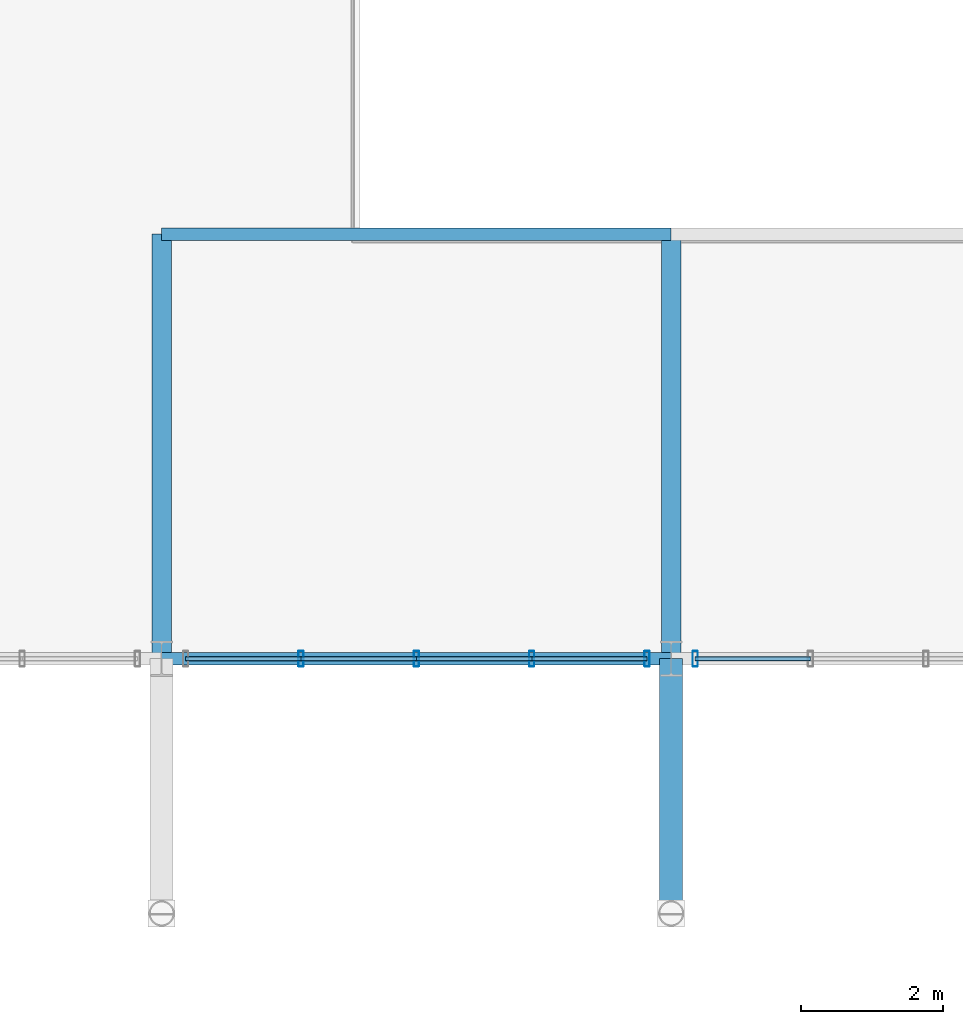
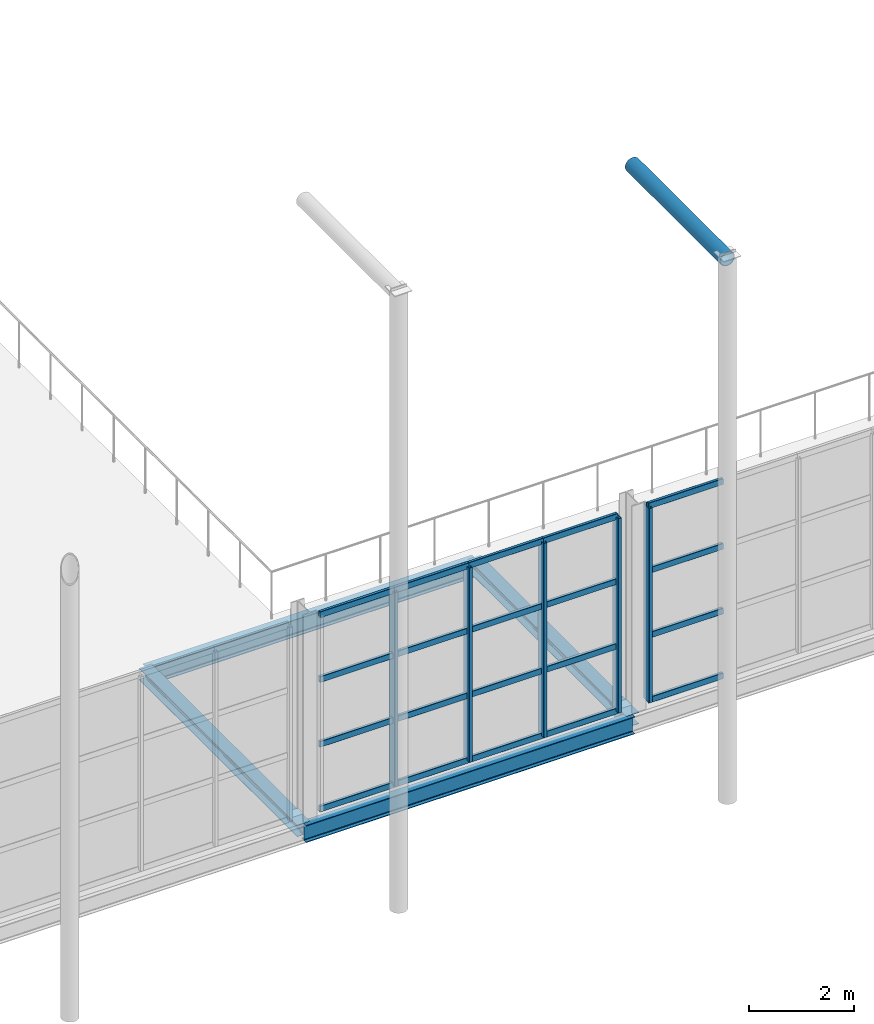
# One storey, part 19 of 143: 25 members, 5 beams, 2 elements without a shape of their own.
"""IFC4 building model written with IfcOpenShell, lengths in metres."""

from ifc_helpers import new_model, si_unit, derived_unit, direction, frame, origin, origin_2d, place, context, subcontext, project, spatial, hollow_rectangle, hollow_circle, i_section, extrude, material, material_profile, profile_set, type_object, element, aggregate, save


model = new_model("IFC4")

# Units and contexts
model_context = context("Model", 3, precision=1e-05, world=origin(), true_north=direction((0.0, 1.0)))
body_context = subcontext(model_context, "Body", "Model", "MODEL_VIEW")
ifc_project = project(units=[si_unit("LENGTHUNIT", "METRE"), si_unit("AREAUNIT", "SQUARE_METRE"), si_unit("VOLUMEUNIT", "CUBIC_METRE"), si_unit("PLANEANGLEUNIT", "RADIAN"), si_unit("MASSUNIT", "GRAM", prefix="KILO"), derived_unit("THERMALTRANSMITTANCEUNIT", [(si_unit("POWERUNIT", "WATT"), 1), (si_unit("LENGTHUNIT", "METRE"), -2), (si_unit("THERMODYNAMICTEMPERATUREUNIT", "KELVIN"), -1)])], contexts=[model_context])

# Site, building, storey
site_placement = place(None, origin())
site = spatial("IfcSite", under=ifc_project, at=site_placement, CompositionType="ELEMENT")
building_placement = place(site_placement, origin())
building = spatial("IfcBuilding", under=site, at=building_placement, Name="Keldorne Ridge Multi-Sports Centre", CompositionType="ELEMENT")
storey_placement = place(building_placement, frame((0.0, 0.0, 4.800048828125)))
storey = spatial("IfcBuildingStorey", under=building, at=storey_placement, Name="L01", CompositionType="ELEMENT", Elevation=4.800048828125)

# Beams
ifc_material_1 = material(Name="Steel S355", Category="steel")
ifc_material_profile_1 = material_profile(ifc_material_1, i_section(OverallWidth=0.179931640625, OverallDepth=0.39990234375, WebThickness=0.008544921875, FlangeThickness=0.013427734375, FilletRadius=0.02099609375, at=origin_2d()), Name="IPE 400")
ifc_profile_set_1 = profile_set([ifc_material_profile_1], Name="Steel S355")
beam_type_1 = type_object("IfcBeamType", Name="BM-B-04", PredefinedType="BEAM", material=ifc_profile_set_1)
for number, where, z_axis, x_axis, name in (
    (1, (13.199951171875, 9.60009765625, -0.420166015625), (1.0, 0.0, 0.0), (0.0, 1.0, 0.0), "L01 mezzanine south beam 2"),
    (2, (13.199951171875, 15.60009765625, -0.420166015625), (1.0, 0.0, 0.0), (0.0, 1.0, 0.0), "L01 mezzanine north beam 2"),
):
    element("IfcBeam", number, at=place(storey_placement, frame(where, z_axis=z_axis, x_axis=x_axis)), inside=storey, type_object=beam_type_1, Name=name, PredefinedType="BEAM", context=body_context, shape_type="SweptSolid", body=[
        extrude(i_section(OverallWidth=0.179931640625, OverallDepth=0.39990234375, WebThickness=0.008544921875, FlangeThickness=0.013427734375, FilletRadius=0.02099609375, at=origin_2d()), origin(), (0.0, 0.0, 1.0), 7.199951171875),
    ])
ifc_material_profile_2 = material_profile(ifc_material_1, hollow_circle(Radius=0.161865234375, WallThickness=0.01611328125, at=origin_2d()), Name="CHS 323.9x16")
ifc_profile_set_2 = profile_set([ifc_material_profile_2], Name="Steel S355")
beam_type_2 = type_object("IfcBeamType", Name="BM-B-19", PredefinedType="BEAM", material=ifc_profile_set_2)
beam_placement = place(storey_placement, frame((20.39990234375, 9.60009765625, 12.510009765625), z_axis=(0.0, -1.0, 0.0), x_axis=(1.0, 0.0, 0.0)))
element("IfcBeam", 3, at=beam_placement, inside=storey, type_object=beam_type_2, Name="Colonnade eave rafter 03", PredefinedType="BEAM", context=body_context, shape_type="SweptSolid", body=[
    extrude(hollow_circle(Radius=0.161865234375, WallThickness=0.01611328125, at=origin_2d()), origin(), (0.0, 0.0, 1.0), 3.60009765625),
])
ifc_material_profile_3 = material_profile(ifc_material_1, i_section(OverallWidth=0.280029296875, OverallDepth=0.27001953125, WebThickness=0.008056640625, FlangeThickness=0.012939453125, FilletRadius=0.02392578125, at=origin_2d()), Name="HEA 280")
ifc_profile_set_3 = profile_set([ifc_material_profile_3], Name="Steel S355")
beam_type_3 = type_object("IfcBeamType", Name="BM-J-05", PredefinedType="JOIST", material=ifc_profile_set_3)
for number, where, z_axis, x_axis, name in (
    (4, (13.199951171875, 9.60009765625, -0.35498046875), (0.0, 1.0, 0.0), (-1.0, 0.0, 0.0), "L01 mezzanine cross beam 2"),
    (5, (20.39990234375, 9.60009765625, -0.35498046875), (0.0, 1.0, 0.0), (-1.0, 0.0, 0.0), "L01 mezzanine cross beam 3"),
):
    element("IfcBeam", number, at=place(storey_placement, frame(where, z_axis=z_axis, x_axis=x_axis)), inside=storey, type_object=beam_type_3, Name=name, PredefinedType="JOIST", context=body_context, shape_type="SweptSolid", body=[
        extrude(i_section(OverallWidth=0.280029296875, OverallDepth=0.27001953125, WebThickness=0.008056640625, FlangeThickness=0.012939453125, FilletRadius=0.02392578125, at=origin_2d()), origin(), (0.0, 0.0, 1.0), 6.0),
    ])

# Curtain wall, members
ifc_material_2 = material(Name="Anodized aluminium", Category="aluminium")
curtain_wall_type_1 = type_object("IfcCurtainWallType", Name="CW-CW-04", PredefinedType="NOTDEFINED", material=ifc_material_2)
curtain_wall_1_placement = place(storey_placement, origin())
curtain_wall_1 = element("IfcCurtainWall", 6, at=curtain_wall_1_placement, inside=storey, type_object=curtain_wall_type_1, Name="Main Hall south mezzanine curtain wall 004", PredefinedType="NOTDEFINED")
ifc_material_profile_4 = material_profile(ifc_material_2, hollow_rectangle(XDim=0.074951171875, YDim=0.219970703125, WallThickness=0.0048828125, InnerFilletRadius=0.0048828125, OuterFilletRadius=0.010009765625, at=origin_2d()), Name="ALU MULLION 220x75x5")
ifc_profile_set_4 = profile_set([ifc_material_profile_4], Name="Anodized aluminium")
member_type_1 = type_object("IfcMemberType", Name="MEM-ML-02", PredefinedType="MULLION", material=ifc_profile_set_4)
member_1_placement = place(storey_placement, frame((15.169921875, 9.60009765625, 0.0), z_axis=(0.0, 0.0, 1.0), x_axis=(1.0, 0.0, 0.0)))
member_1 = element("IfcMember", 7, at=member_1_placement, type_object=member_type_1, Name="CW-004 vertical mullion 2", PredefinedType="MULLION", context=body_context, shape_type="SweptSolid", body=[
    extrude(hollow_rectangle(XDim=0.074951171875, YDim=0.219970703125, WallThickness=0.0048828125, InnerFilletRadius=0.0048828125, OuterFilletRadius=0.010009765625, at=origin_2d()), origin(), (0.0, 0.0, 1.0), 4.5),
])
member_2_placement = place(storey_placement, frame((16.800048828125, 9.60009765625, 0.0), z_axis=(0.0, 0.0, 1.0), x_axis=(1.0, 0.0, 0.0)))
member_2 = element("IfcMember", 8, at=member_2_placement, type_object=member_type_1, Name="CW-004 vertical mullion 3", PredefinedType="MULLION", context=body_context, shape_type="SweptSolid", body=[
    extrude(hollow_rectangle(XDim=0.074951171875, YDim=0.219970703125, WallThickness=0.0048828125, InnerFilletRadius=0.0048828125, OuterFilletRadius=0.010009765625, at=origin_2d()), origin(), (0.0, 0.0, 1.0), 4.5),
])
member_3_placement = place(storey_placement, frame((18.429931640625, 9.60009765625, 0.0), z_axis=(0.0, 0.0, 1.0), x_axis=(1.0, 0.0, 0.0)))
member_3 = element("IfcMember", 9, at=member_3_placement, type_object=member_type_1, Name="CW-004 vertical mullion 4", PredefinedType="MULLION", context=body_context, shape_type="SweptSolid", body=[
    extrude(hollow_rectangle(XDim=0.074951171875, YDim=0.219970703125, WallThickness=0.0048828125, InnerFilletRadius=0.0048828125, OuterFilletRadius=0.010009765625, at=origin_2d()), origin(), (0.0, 0.0, 1.0), 4.5),
])
member_4_placement = place(storey_placement, frame((20.06005859375, 9.60009765625, 0.0), z_axis=(0.0, 0.0, 1.0), x_axis=(1.0, 0.0, 0.0)))
member_4 = element("IfcMember", 10, at=member_4_placement, type_object=member_type_1, Name="CW-004 vertical mullion 5", PredefinedType="MULLION", context=body_context, shape_type="SweptSolid", body=[
    extrude(hollow_rectangle(XDim=0.074951171875, YDim=0.219970703125, WallThickness=0.0048828125, InnerFilletRadius=0.0048828125, OuterFilletRadius=0.010009765625, at=origin_2d()), origin(), (0.0, 0.0, 1.0), 4.5),
])

# Curtain wall, member
curtain_wall_type_2 = type_object("IfcCurtainWallType", Name="CW-CW-07", PredefinedType="NOTDEFINED", material=ifc_material_2)
curtain_wall_2_placement = place(storey_placement, origin())
curtain_wall_2 = element("IfcCurtainWall", 11, at=curtain_wall_2_placement, inside=storey, type_object=curtain_wall_type_2, Name="Main Hall south mezzanine curtain wall 007", PredefinedType="NOTDEFINED")
member_5_placement = place(storey_placement, frame((20.739990234375, 9.60009765625, 0.0), z_axis=(0.0, 0.0, 1.0), x_axis=(1.0, 0.0, 0.0)))
member_5 = element("IfcMember", 12, at=member_5_placement, type_object=member_type_1, Name="CW-007 vertical mullion 1", PredefinedType="MULLION", context=body_context, shape_type="SweptSolid", body=[
    extrude(hollow_rectangle(XDim=0.074951171875, YDim=0.219970703125, WallThickness=0.0048828125, InnerFilletRadius=0.0048828125, OuterFilletRadius=0.010009765625, at=origin_2d()), origin(), (0.0, 0.0, 1.0), 4.5),
])

# Member
ifc_material_profile_5 = material_profile(ifc_material_2, hollow_rectangle(XDim=0.06494140625, YDim=0.139892578125, WallThickness=0.00439453125, InnerFilletRadius=0.00439453125, OuterFilletRadius=0.009033203125, at=origin_2d()), Name="ALU TRANSOM 140x65x4.5")
ifc_profile_set_5 = profile_set([ifc_material_profile_5], Name="Anodized aluminium")
member_type_2 = type_object("IfcMemberType", Name="MEM-TR-01", PredefinedType="USERDEFINED", material=ifc_profile_set_5)
member_6_placement = place(storey_placement, frame((13.5400390625, 9.60009765625, 0.0), z_axis=(1.0, 0.0, 0.0), x_axis=(0.0, 1.0, 0.0)))
member_6 = element("IfcMember", 13, at=member_6_placement, type_object=member_type_2, Name="CW-004 transom 1.1", ObjectType="TRANSOM", PredefinedType="USERDEFINED", context=body_context, shape_type="SweptSolid", body=[
    extrude(hollow_rectangle(XDim=0.06494140625, YDim=0.139892578125, WallThickness=0.00439453125, InnerFilletRadius=0.00439453125, OuterFilletRadius=0.009033203125, at=origin_2d()), origin(), (0.0, 0.0, 1.0), 1.6298828125),
])

member_7_placement = place(storey_placement, frame((13.5400390625, 9.60009765625, 1.5), z_axis=(1.0, 0.0, 0.0), x_axis=(0.0, 1.0, 0.0)))
member_7 = element("IfcMember", 14, at=member_7_placement, type_object=member_type_2, Name="CW-004 transom 1.2", ObjectType="TRANSOM", PredefinedType="USERDEFINED", context=body_context, shape_type="SweptSolid", body=[
    extrude(hollow_rectangle(XDim=0.06494140625, YDim=0.139892578125, WallThickness=0.00439453125, InnerFilletRadius=0.00439453125, OuterFilletRadius=0.009033203125, at=origin_2d()), origin(), (0.0, 0.0, 1.0), 1.6298828125),
])

member_8_placement = place(storey_placement, frame((13.5400390625, 9.60009765625, 3.0), z_axis=(1.0, 0.0, 0.0), x_axis=(0.0, 1.0, 0.0)))
member_8 = element("IfcMember", 15, at=member_8_placement, type_object=member_type_2, Name="CW-004 transom 1.3", ObjectType="TRANSOM", PredefinedType="USERDEFINED", context=body_context, shape_type="SweptSolid", body=[
    extrude(hollow_rectangle(XDim=0.06494140625, YDim=0.139892578125, WallThickness=0.00439453125, InnerFilletRadius=0.00439453125, OuterFilletRadius=0.009033203125, at=origin_2d()), origin(), (0.0, 0.0, 1.0), 1.6298828125),
])

member_9_placement = place(storey_placement, frame((13.5400390625, 9.60009765625, 4.5), z_axis=(1.0, 0.0, 0.0), x_axis=(0.0, 1.0, 0.0)))
member_9 = element("IfcMember", 16, at=member_9_placement, type_object=member_type_2, Name="CW-004 transom 1.4", ObjectType="TRANSOM", PredefinedType="USERDEFINED", context=body_context, shape_type="SweptSolid", body=[
    extrude(hollow_rectangle(XDim=0.06494140625, YDim=0.139892578125, WallThickness=0.00439453125, InnerFilletRadius=0.00439453125, OuterFilletRadius=0.009033203125, at=origin_2d()), origin(), (0.0, 0.0, 1.0), 1.6298828125),
])

member_10_placement = place(storey_placement, frame((15.169921875, 9.60009765625, 0.0), z_axis=(1.0, 0.0, 0.0), x_axis=(0.0, 1.0, 0.0)))
member_10 = element("IfcMember", 17, at=member_10_placement, type_object=member_type_2, Name="CW-004 transom 2.1", ObjectType="TRANSOM", PredefinedType="USERDEFINED", context=body_context, shape_type="SweptSolid", body=[
    extrude(hollow_rectangle(XDim=0.06494140625, YDim=0.139892578125, WallThickness=0.00439453125, InnerFilletRadius=0.00439453125, OuterFilletRadius=0.009033203125, at=origin_2d()), origin(), (0.0, 0.0, 1.0), 1.630126953125),
])

member_11_placement = place(storey_placement, frame((15.169921875, 9.60009765625, 1.5), z_axis=(1.0, 0.0, 0.0), x_axis=(0.0, 1.0, 0.0)))
member_11 = element("IfcMember", 18, at=member_11_placement, type_object=member_type_2, Name="CW-004 transom 2.2", ObjectType="TRANSOM", PredefinedType="USERDEFINED", context=body_context, shape_type="SweptSolid", body=[
    extrude(hollow_rectangle(XDim=0.06494140625, YDim=0.139892578125, WallThickness=0.00439453125, InnerFilletRadius=0.00439453125, OuterFilletRadius=0.009033203125, at=origin_2d()), origin(), (0.0, 0.0, 1.0), 1.630126953125),
])

member_12_placement = place(storey_placement, frame((15.169921875, 9.60009765625, 3.0), z_axis=(1.0, 0.0, 0.0), x_axis=(0.0, 1.0, 0.0)))
member_12 = element("IfcMember", 19, at=member_12_placement, type_object=member_type_2, Name="CW-004 transom 2.3", ObjectType="TRANSOM", PredefinedType="USERDEFINED", context=body_context, shape_type="SweptSolid", body=[
    extrude(hollow_rectangle(XDim=0.06494140625, YDim=0.139892578125, WallThickness=0.00439453125, InnerFilletRadius=0.00439453125, OuterFilletRadius=0.009033203125, at=origin_2d()), origin(), (0.0, 0.0, 1.0), 1.630126953125),
])

member_13_placement = place(storey_placement, frame((15.169921875, 9.60009765625, 4.5), z_axis=(1.0, 0.0, 0.0), x_axis=(0.0, 1.0, 0.0)))
member_13 = element("IfcMember", 20, at=member_13_placement, type_object=member_type_2, Name="CW-004 transom 2.4", ObjectType="TRANSOM", PredefinedType="USERDEFINED", context=body_context, shape_type="SweptSolid", body=[
    extrude(hollow_rectangle(XDim=0.06494140625, YDim=0.139892578125, WallThickness=0.00439453125, InnerFilletRadius=0.00439453125, OuterFilletRadius=0.009033203125, at=origin_2d()), origin(), (0.0, 0.0, 1.0), 1.630126953125),
])

member_14_placement = place(storey_placement, frame((16.800048828125, 9.60009765625, 0.0), z_axis=(1.0, 0.0, 0.0), x_axis=(0.0, 1.0, 0.0)))
member_14 = element("IfcMember", 21, at=member_14_placement, type_object=member_type_2, Name="CW-004 transom 3.1", ObjectType="TRANSOM", PredefinedType="USERDEFINED", context=body_context, shape_type="SweptSolid", body=[
    extrude(hollow_rectangle(XDim=0.06494140625, YDim=0.139892578125, WallThickness=0.00439453125, InnerFilletRadius=0.00439453125, OuterFilletRadius=0.009033203125, at=origin_2d()), origin(), (0.0, 0.0, 1.0), 1.6298828125),
])

member_15_placement = place(storey_placement, frame((16.800048828125, 9.60009765625, 1.5), z_axis=(1.0, 0.0, 0.0), x_axis=(0.0, 1.0, 0.0)))
member_15 = element("IfcMember", 22, at=member_15_placement, type_object=member_type_2, Name="CW-004 transom 3.2", ObjectType="TRANSOM", PredefinedType="USERDEFINED", context=body_context, shape_type="SweptSolid", body=[
    extrude(hollow_rectangle(XDim=0.06494140625, YDim=0.139892578125, WallThickness=0.00439453125, InnerFilletRadius=0.00439453125, OuterFilletRadius=0.009033203125, at=origin_2d()), origin(), (0.0, 0.0, 1.0), 1.6298828125),
])

member_16_placement = place(storey_placement, frame((16.800048828125, 9.60009765625, 3.0), z_axis=(1.0, 0.0, 0.0), x_axis=(0.0, 1.0, 0.0)))
member_16 = element("IfcMember", 23, at=member_16_placement, type_object=member_type_2, Name="CW-004 transom 3.3", ObjectType="TRANSOM", PredefinedType="USERDEFINED", context=body_context, shape_type="SweptSolid", body=[
    extrude(hollow_rectangle(XDim=0.06494140625, YDim=0.139892578125, WallThickness=0.00439453125, InnerFilletRadius=0.00439453125, OuterFilletRadius=0.009033203125, at=origin_2d()), origin(), (0.0, 0.0, 1.0), 1.6298828125),
])

member_17_placement = place(storey_placement, frame((16.800048828125, 9.60009765625, 4.5), z_axis=(1.0, 0.0, 0.0), x_axis=(0.0, 1.0, 0.0)))
member_17 = element("IfcMember", 24, at=member_17_placement, type_object=member_type_2, Name="CW-004 transom 3.4", ObjectType="TRANSOM", PredefinedType="USERDEFINED", context=body_context, shape_type="SweptSolid", body=[
    extrude(hollow_rectangle(XDim=0.06494140625, YDim=0.139892578125, WallThickness=0.00439453125, InnerFilletRadius=0.00439453125, OuterFilletRadius=0.009033203125, at=origin_2d()), origin(), (0.0, 0.0, 1.0), 1.6298828125),
])

member_18_placement = place(storey_placement, frame((18.429931640625, 9.60009765625, 0.0), z_axis=(1.0, 0.0, 0.0), x_axis=(0.0, 1.0, 0.0)))
member_18 = element("IfcMember", 25, at=member_18_placement, type_object=member_type_2, Name="CW-004 transom 4.1", ObjectType="TRANSOM", PredefinedType="USERDEFINED", context=body_context, shape_type="SweptSolid", body=[
    extrude(hollow_rectangle(XDim=0.06494140625, YDim=0.139892578125, WallThickness=0.00439453125, InnerFilletRadius=0.00439453125, OuterFilletRadius=0.009033203125, at=origin_2d()), origin(), (0.0, 0.0, 1.0), 1.630126953125),
])

member_19_placement = place(storey_placement, frame((18.429931640625, 9.60009765625, 1.5), z_axis=(1.0, 0.0, 0.0), x_axis=(0.0, 1.0, 0.0)))
member_19 = element("IfcMember", 26, at=member_19_placement, type_object=member_type_2, Name="CW-004 transom 4.2", ObjectType="TRANSOM", PredefinedType="USERDEFINED", context=body_context, shape_type="SweptSolid", body=[
    extrude(hollow_rectangle(XDim=0.06494140625, YDim=0.139892578125, WallThickness=0.00439453125, InnerFilletRadius=0.00439453125, OuterFilletRadius=0.009033203125, at=origin_2d()), origin(), (0.0, 0.0, 1.0), 1.630126953125),
])

member_20_placement = place(storey_placement, frame((18.429931640625, 9.60009765625, 3.0), z_axis=(1.0, 0.0, 0.0), x_axis=(0.0, 1.0, 0.0)))
member_20 = element("IfcMember", 27, at=member_20_placement, type_object=member_type_2, Name="CW-004 transom 4.3", ObjectType="TRANSOM", PredefinedType="USERDEFINED", context=body_context, shape_type="SweptSolid", body=[
    extrude(hollow_rectangle(XDim=0.06494140625, YDim=0.139892578125, WallThickness=0.00439453125, InnerFilletRadius=0.00439453125, OuterFilletRadius=0.009033203125, at=origin_2d()), origin(), (0.0, 0.0, 1.0), 1.630126953125),
])

member_21_placement = place(storey_placement, frame((18.429931640625, 9.60009765625, 4.5), z_axis=(1.0, 0.0, 0.0), x_axis=(0.0, 1.0, 0.0)))
member_21 = element("IfcMember", 28, at=member_21_placement, type_object=member_type_2, Name="CW-004 transom 4.4", ObjectType="TRANSOM", PredefinedType="USERDEFINED", context=body_context, shape_type="SweptSolid", body=[
    extrude(hollow_rectangle(XDim=0.06494140625, YDim=0.139892578125, WallThickness=0.00439453125, InnerFilletRadius=0.00439453125, OuterFilletRadius=0.009033203125, at=origin_2d()), origin(), (0.0, 0.0, 1.0), 1.630126953125),
])

aggregate(curtain_wall_1, [member_1, member_2, member_3, member_4, member_6, member_7, member_8, member_9, member_10, member_11, member_12, member_13, member_14, member_15, member_16, member_17, member_18, member_19, member_20, member_21])

member_22_placement = place(storey_placement, frame((20.739990234375, 9.60009765625, 0.0), z_axis=(1.0, 0.0, 0.0), x_axis=(0.0, 1.0, 0.0)))
member_22 = element("IfcMember", 29, at=member_22_placement, type_object=member_type_2, Name="CW-007 transom 1.1", ObjectType="TRANSOM", PredefinedType="USERDEFINED", context=body_context, shape_type="SweptSolid", body=[
    extrude(hollow_rectangle(XDim=0.06494140625, YDim=0.139892578125, WallThickness=0.00439453125, InnerFilletRadius=0.00439453125, OuterFilletRadius=0.009033203125, at=origin_2d()), origin(), (0.0, 0.0, 1.0), 1.630126953125),
])

member_23_placement = place(storey_placement, frame((20.739990234375, 9.60009765625, 1.5), z_axis=(1.0, 0.0, 0.0), x_axis=(0.0, 1.0, 0.0)))
member_23 = element("IfcMember", 30, at=member_23_placement, type_object=member_type_2, Name="CW-007 transom 1.2", ObjectType="TRANSOM", PredefinedType="USERDEFINED", context=body_context, shape_type="SweptSolid", body=[
    extrude(hollow_rectangle(XDim=0.06494140625, YDim=0.139892578125, WallThickness=0.00439453125, InnerFilletRadius=0.00439453125, OuterFilletRadius=0.009033203125, at=origin_2d()), origin(), (0.0, 0.0, 1.0), 1.630126953125),
])

member_24_placement = place(storey_placement, frame((20.739990234375, 9.60009765625, 3.0), z_axis=(1.0, 0.0, 0.0), x_axis=(0.0, 1.0, 0.0)))
member_24 = element("IfcMember", 31, at=member_24_placement, type_object=member_type_2, Name="CW-007 transom 1.3", ObjectType="TRANSOM", PredefinedType="USERDEFINED", context=body_context, shape_type="SweptSolid", body=[
    extrude(hollow_rectangle(XDim=0.06494140625, YDim=0.139892578125, WallThickness=0.00439453125, InnerFilletRadius=0.00439453125, OuterFilletRadius=0.009033203125, at=origin_2d()), origin(), (0.0, 0.0, 1.0), 1.630126953125),
])

member_25_placement = place(storey_placement, frame((20.739990234375, 9.60009765625, 4.5), z_axis=(1.0, 0.0, 0.0), x_axis=(0.0, 1.0, 0.0)))
member_25 = element("IfcMember", 32, at=member_25_placement, type_object=member_type_2, Name="CW-007 transom 1.4", ObjectType="TRANSOM", PredefinedType="USERDEFINED", context=body_context, shape_type="SweptSolid", body=[
    extrude(hollow_rectangle(XDim=0.06494140625, YDim=0.139892578125, WallThickness=0.00439453125, InnerFilletRadius=0.00439453125, OuterFilletRadius=0.009033203125, at=origin_2d()), origin(), (0.0, 0.0, 1.0), 1.630126953125),
])

aggregate(curtain_wall_2, [member_5, member_22, member_23, member_24, member_25])

save(model, "model.ifc")
